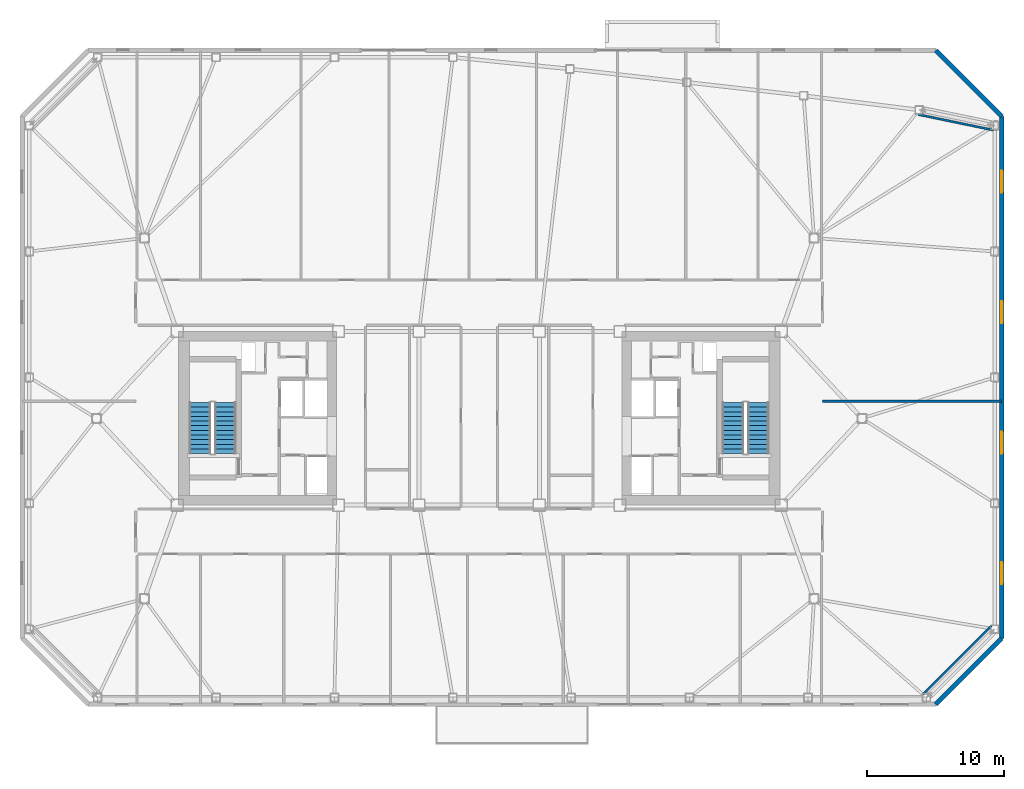
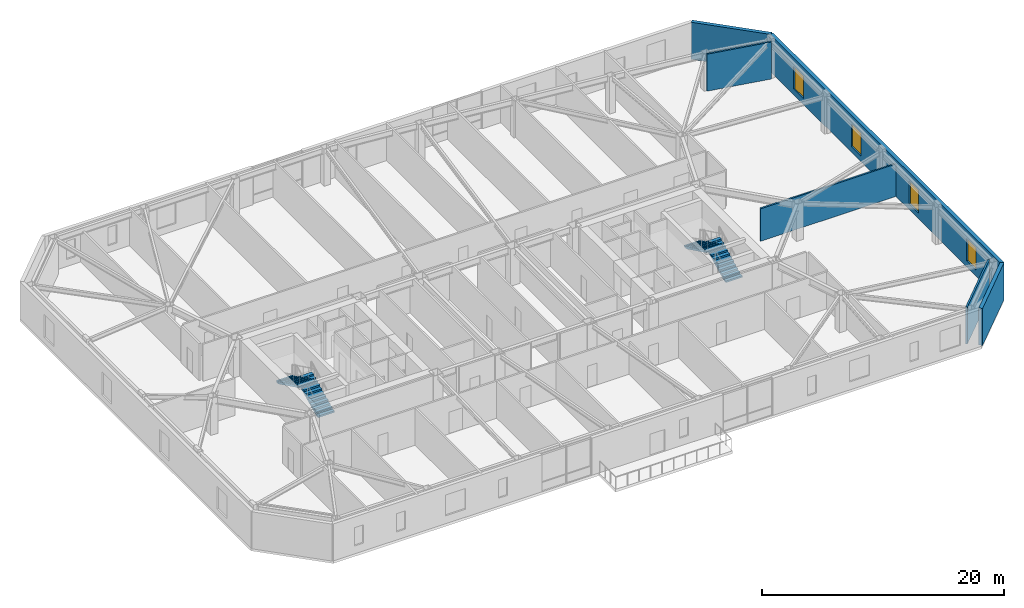
# One storey, part 14 of 19: 6 walls, 4 stair flights, 4 windows, 4 openings, 2 elements without a shape of their own.
"""IFC4 building model written with IfcOpenShell, lengths in metres."""

import ifcopenshell
import ifcopenshell.guid

model = None  # the IFC model being written
_history = None  # IfcOwnerHistory: only IFC2X3 demands one
_inside = {}  # id of a spatial element -> (the spatial element, [elements in it])
_under = {}  # id of a project, library or spatial element -> (it, [spatial elements below it])
_declared = {}  # id of a project -> (the project, [libraries it declares])
_typed = {}  # id of a type object -> (the type object, [elements of that type])
_made_of = {}  # id of a material, layer set ... -> (it, [elements and type objects made of it])


def new_model(schema):
    """Start an empty IFC model of exactly this schema.

    Asked for "IFC4X3", IfcOpenShell would pick the latest addendum, in which some entities
    have other attributes; the version numbers below select the first issue.
    IFC2X3 requires an IfcOwnerHistory on every rooted entity: one is made here for all.
    """
    global model, _history
    if schema == "IFC4X3":
        model = ifcopenshell.file(schema_version=(4, 3, 0, 0))
    else:
        model = ifcopenshell.file(schema=schema)
    _inside.clear()
    _under.clear()
    _declared.clear()
    _typed.clear()
    _made_of.clear()
    _history = None
    if model.schema == "IFC2X3":
        org = make("IfcOrganization", Name="unknown")
        user = make(
            "IfcPersonAndOrganization",
            ThePerson=make("IfcPerson", FamilyName="unknown"),
            TheOrganization=org,
        )
        app = make(
            "IfcApplication",
            ApplicationDeveloper=org,
            Version="unknown",
            ApplicationFullName="unknown",
            ApplicationIdentifier="unknown",
        )
        _history = make(
            "IfcOwnerHistory",
            OwningUser=user,
            OwningApplication=app,
            ChangeAction="ADDED",
            CreationDate=0,
        )
    return model


def make(cls, **values):
    """One entity of the class cls with the attributes given. An attribute that is None is left unset."""
    return model.create_entity(
        cls, **{name: value for name, value in values.items() if value is not None}
    )


def rooted(cls, **values):
    """An entity with a GlobalId (a new one), such as an element, a storey or a relation."""
    return make(cls, GlobalId=ifcopenshell.guid.new(), OwnerHistory=_history, **values)


def si_unit(unit_type, name, prefix=None):
    """IfcSIUnit, for example si_unit("LENGTHUNIT", "METRE", prefix="MILLI")."""
    return make("IfcSIUnit", UnitType=unit_type, Prefix=prefix, Name=name)


def assignment(units):
    """IfcUnitAssignment: the units of a project."""
    return None if units is None else make("IfcUnitAssignment", Units=units)


def point(xyz):
    """IfcCartesianPoint."""
    return None if xyz is None else make("IfcCartesianPoint", Coordinates=xyz)


def direction(xyz):
    """IfcDirection."""
    return None if xyz is None else make("IfcDirection", DirectionRatios=xyz)


def frame(location, z_axis=None, x_axis=None):
    """IfcAxis2Placement3D, a coordinate frame: its origin and axes. An axis left out is left unset."""
    return make(
        "IfcAxis2Placement3D",
        Location=point(location),
        Axis=direction(z_axis),
        RefDirection=direction(x_axis),
    )


def frame_2d(location, x_axis=None):
    """IfcAxis2Placement2D, a coordinate frame in the plane: its origin and x axis."""
    return make(
        "IfcAxis2Placement2D", Location=point(location), RefDirection=direction(x_axis)
    )


def origin():
    """The frame at (0, 0, 0) with its axes left unset."""
    return frame((0.0, 0.0, 0.0))


def place(relative_to, where):
    """IfcLocalPlacement: puts the frame where relative to a parent placement (None: the world)."""
    return make(
        "IfcLocalPlacement", PlacementRelTo=relative_to, RelativePlacement=where
    )


def context(
    kind, dimensions, precision=None, world=None, true_north=None, identifier=None
):
    """IfcGeometricRepresentationContext, for example the 3D "Model" context."""
    return make(
        "IfcGeometricRepresentationContext",
        ContextIdentifier=identifier,
        ContextType=kind,
        CoordinateSpaceDimension=dimensions,
        Precision=precision,
        WorldCoordinateSystem=world,
        TrueNorth=true_north,
    )


def subcontext(parent, identifier, kind, view, scale=None):
    """IfcGeometricRepresentationSubContext, for example "Body" below "Model"."""
    return make(
        "IfcGeometricRepresentationSubContext",
        ContextIdentifier=identifier,
        ContextType=kind,
        ParentContext=parent,
        TargetScale=scale,
        TargetView=view,
    )


def project(units=None, contexts=None):
    """IfcProject with its units and contexts."""
    return rooted(
        "IfcProject",
        Name="project",
        RepresentationContexts=contexts,
        UnitsInContext=assignment(units),
    )


def spatial(cls, under=None, at=None, **own):
    """A site, building, storey or space (cls), placed at a placement, below another one or the project."""
    s = rooted(cls, ObjectPlacement=at, **own)
    if under is not None:
        _under.setdefault(under.id(), (under, []))[1].append(s)
    return s


def polyline(points):
    """IfcPolyline through the points."""
    return make("IfcPolyline", Points=[point(p) for p in points])


def profile(cls, at=None, kind="AREA", **sizes):
    """A parametric profile (cls). Its sizes go by their IFC names, for example OverallWidth=200.0."""
    return make(cls, ProfileType=kind, Position=at, **sizes)


def rectangle(**sizes):
    """IfcRectangleProfileDef."""
    return profile("IfcRectangleProfileDef", **sizes)


def outline(outer, holes=None, kind="AREA"):
    """IfcArbitraryClosedProfileDef: a profile drawn as a closed curve; with holes, ...WithVoids."""
    if holes is None:
        return make("IfcArbitraryClosedProfileDef", ProfileType=kind, OuterCurve=outer)
    return make(
        "IfcArbitraryProfileDefWithVoids",
        ProfileType=kind,
        OuterCurve=outer,
        InnerCurves=holes,
    )


def extrude(swept, where, along, depth):
    """IfcExtrudedAreaSolid: the profile swept, set in the frame where, extruded along a direction by depth."""
    return make(
        "IfcExtrudedAreaSolid",
        SweptArea=swept,
        Position=where,
        ExtrudedDirection=direction(along),
        Depth=depth,
    )


def shape(context_of_items, identifier, shape_type, items):
    """IfcShapeRepresentation: the items that make up one representation, for example the "Body"."""
    return make(
        "IfcShapeRepresentation",
        ContextOfItems=context_of_items,
        RepresentationIdentifier=identifier,
        RepresentationType=shape_type,
        Items=items,
    )


def material(Name=None, Category=None):
    """IfcMaterial."""
    return make("IfcMaterial", Name=Name, Category=Category)


def layer(
    of_material, thickness, ventilated=None, Name=None, Category=None, Priority=None
):
    """IfcMaterialLayer: one layer of a wall or slab, of a material (None: an air gap)."""
    return make(
        "IfcMaterialLayer",
        Material=of_material,
        LayerThickness=thickness,
        IsVentilated=ventilated,
        Name=Name,
        Category=Category,
        Priority=Priority,
    )


def layer_set(layers, Name=None):
    """IfcMaterialLayerSet."""
    return make("IfcMaterialLayerSet", MaterialLayers=layers, LayerSetName=Name)


def made_of(thing, what):
    """Note that an element or type object is made of a material, layer set ...; save() writes the relation."""
    if what is not None:
        _made_of.setdefault(what.id(), (what, []))[1].append(thing)
    return thing


def type_object(cls, material=None, **own):
    """A type object (cls), such as IfcWallType, which elements share."""
    return made_of(rooted(cls, **own), material)


def element(
    cls,
    number,
    at=None,
    inside=None,
    cuts=None,
    type_object=None,
    material=None,
    context=None,
    identifier="Body",
    shape_type=None,
    held_by="IfcProductDefinitionShape",
    body=None,
    shapes=None,
    **own,
):
    """One element of the class cls, such as IfcWall. Its Tag is "e" and its number.

    at: its placement. inside: the storey or other place that contains it. cuts: it is an
    opening in that element (IfcRelVoidsElement). A single representation is given by context,
    identifier, shape_type and body (its items); several are given by shapes. held_by: the class
    of the entity that holds the representations. save() writes the other relations.
    """
    e = rooted(cls, Tag="e%d" % number, ObjectPlacement=at, **own)
    if body is not None:
        shapes = [shape(context, identifier, shape_type, body)]
    if shapes is not None:
        e.Representation = make(held_by, Representations=shapes)
    if inside is not None:
        _inside.setdefault(inside.id(), (inside, []))[1].append(e)
    if cuts is not None:
        rooted(
            "IfcRelVoidsElement", RelatingBuildingElement=cuts, RelatedOpeningElement=e
        )
    if type_object is not None:
        _typed.setdefault(type_object.id(), (type_object, []))[1].append(e)
    return made_of(e, material)


def fill(opening, filler):
    """IfcRelFillsElement: the door or window that sits in an opening."""
    return rooted(
        "IfcRelFillsElement",
        RelatingOpeningElement=opening,
        RelatedBuildingElement=filler,
    )


def aggregate(whole, parts):
    """IfcRelAggregates: a whole, such as a stair, and the parts it consists of."""
    return rooted("IfcRelAggregates", RelatingObject=whole, RelatedObjects=parts)


def save(model, path):
    """Write the relations noted so far, then the file.

    IfcRelAggregates (storeys below a building ...), IfcRelContainedInSpatialStructure (elements
    in a storey), IfcRelDefinesByType, IfcRelAssociatesMaterial and IfcRelDeclares: one each for
    every whole, place, type object, material and project.
    """
    for whole, parts in _under.values():
        aggregate(whole, parts)
    for where, things in _inside.values():
        rooted(
            "IfcRelContainedInSpatialStructure",
            RelatedElements=things,
            RelatingStructure=where,
        )
    for kind, things in _typed.values():
        rooted("IfcRelDefinesByType", RelatedObjects=things, RelatingType=kind)
    for what, things in _made_of.values():
        rooted("IfcRelAssociatesMaterial", RelatedObjects=things, RelatingMaterial=what)
    for by, libraries in _declared.values():
        rooted("IfcRelDeclares", RelatingContext=by, RelatedDefinitions=libraries)
    model.write(path)


model = new_model("IFC4")

# Units and contexts
model_context = context("Model", 3, precision=1e-05, world=origin(), true_north=direction((0.0, 1.0)))
body_context = subcontext(model_context, "Body", "Model", "MODEL_VIEW")
ifc_project = project(units=[si_unit("LENGTHUNIT", "METRE"), si_unit("AREAUNIT", "SQUARE_METRE"), si_unit("VOLUMEUNIT", "CUBIC_METRE"), si_unit("PLANEANGLEUNIT", "RADIAN"), si_unit("MASSUNIT", "GRAM", prefix="KILO")], contexts=[model_context])

# Site, building, storey
site_placement = place(None, origin())
site = spatial("IfcSite", under=ifc_project, at=site_placement, CompositionType="ELEMENT")
building_placement = place(site_placement, origin())
building = spatial("IfcBuilding", under=site, at=building_placement, Name="Tavrogorsk Clinical Tower", CompositionType="ELEMENT")
storey_placement = place(building_placement, frame((0.0, 0.0, 188.199951171875)))
storey = spatial("IfcBuildingStorey", under=building, at=storey_placement, Name="L43", CompositionType="ELEMENT", Elevation=188.199951171875)

# Walls
ifc_material_1 = material(Name="Lightweight concrete blockwork B15", Category="masonry")
ifc_layer_1 = layer(ifc_material_1, 0.159912109375)
ifc_layer_set_1 = layer_set([ifc_layer_1], Name="Lightweight concrete blockwork B15")
wall_type_1 = type_object("IfcWallType", Name="PartitionWall_160", PredefinedType="PARTITIONING", material=ifc_layer_set_1)
wall_1_placement = place(storey_placement, frame((32.4794921875, -20.1796875, 0.0), z_axis=(0.0, 0.0, 1.0), x_axis=(0.707106781187, 0.707106781187, 0.0)))
element("IfcWall", 1, at=wall_1_placement, inside=storey, type_object=wall_type_1, Name="L43 Corner Exoskeleton Brace Furring Wall 1", PredefinedType="PARTITIONING", context=body_context, shape_type="SweptSolid", body=[
    extrude(rectangle(XDim=7.071044921875, YDim=0.159912109375, at=frame_2d((3.53564453125, 0.0))), origin(), (0.0, 0.0, 1.0), 3.739990234375),
])
wall_2_placement = place(storey_placement, frame((37.65087890625, 21.0869140625, 0.0), z_axis=(0.0, 0.0, 1.0), x_axis=(-0.979184618318, 0.202971631636, 0.0)))
element("IfcWall", 2, at=wall_2_placement, inside=storey, type_object=wall_type_1, Name="L43 Corner Exoskeleton Brace Furring Wall 2", PredefinedType="PARTITIONING", context=body_context, shape_type="SweptSolid", body=[
    extrude(rectangle(XDim=5.64599609375, YDim=0.159912109375, at=frame_2d((2.822998046875, 0.0))), origin(), (0.0, 0.0, 1.0), 3.739990234375),
])
wall_3_placement = place(storey_placement, frame((25.1298828125, 1.25, 0.0), z_axis=(0.0, 0.0, 1.0), x_axis=(1.0, 0.0, 0.0)))
element("IfcWall", 3, at=wall_3_placement, inside=storey, type_object=wall_type_1, Name="L43 E Wing Divider 1", PredefinedType="PARTITIONING", context=body_context, shape_type="SweptSolid", body=[
    extrude(rectangle(XDim=13.080078125, YDim=0.159912109375, at=frame_2d((6.5400390625, 0.0))), origin(), (0.0, 0.0, 1.0), 3.28515625),
])

# Wall, openings, windows
ifc_material_2 = material(Name="Precast concrete B45 with limestone cladding", Category="masonry")
ifc_layer_2 = layer(ifc_material_2, 0.340087890625)
ifc_layer_set_2 = layer_set([ifc_layer_2], Name="Precast concrete B45 with limestone cladding")
wall_type_2 = type_object("IfcWallType", Name="PrecastLimestoneWall_340", PredefinedType="STANDARD", material=ifc_layer_set_2)
wall_4_placement = place(storey_placement, frame((38.22998046875, -16.10009765625, 0.0), z_axis=(0.0, 0.0, 1.0), x_axis=(0.0, 1.0, 0.0)))
wall_4 = element("IfcWall", 4, at=wall_4_placement, inside=storey, type_object=wall_type_2, Name="L43 E Pleated Limestone Wing Wall", PredefinedType="STANDARD", context=body_context, shape_type="SweptSolid", body=[
    extrude(rectangle(XDim=38.2001953125, YDim=0.340087890625, at=frame_2d((19.10009765625, 0.0))), origin(), (0.0, 0.0, 1.0), 3.739990234375),
])
opening_1_placement = place(wall_4_placement, frame((3.97509765625, 0.0, 0.580078125)))
opening_1 = element("IfcOpeningElement", 5, at=opening_1_placement, cuts=wall_4, Name="Opening WN-07", PredefinedType="OPENING", context=body_context, shape_type="SweptSolid", body=[
    extrude(rectangle(XDim=1.60009765625, YDim=2.300048828125, at=frame_2d((0.800048828125, 1.14990234375))), frame((0.0, 0.179931640625, 0.0), z_axis=(0.0, -1.0, 0.0), x_axis=(1.0, 0.0, 0.0)), (0.0, 0.0, 1.0), 0.360107421875),
])
opening_2_placement = place(wall_4_placement, frame((13.52490234375, 0.0, 0.580078125)))
opening_2 = element("IfcOpeningElement", 6, at=opening_2_placement, cuts=wall_4, Name="Opening WN-07", PredefinedType="OPENING", context=body_context, shape_type="SweptSolid", body=[
    extrude(rectangle(XDim=1.60009765625, YDim=2.300048828125, at=frame_2d((0.800048828125, 1.14990234375))), frame((0.0, 0.179931640625, 0.0), z_axis=(0.0, -1.0, 0.0), x_axis=(1.0, 0.0, 0.0)), (0.0, 0.0, 1.0), 0.360107421875),
])
opening_3_placement = place(wall_4_placement, frame((23.074951171875, 0.0, 0.580078125)))
opening_3 = element("IfcOpeningElement", 7, at=opening_3_placement, cuts=wall_4, Name="Opening WN-07", PredefinedType="OPENING", context=body_context, shape_type="SweptSolid", body=[
    extrude(rectangle(XDim=1.60009765625, YDim=2.300048828125, at=frame_2d((0.800048828125, 1.14990234375))), frame((0.0, 0.179931640625, 0.0), z_axis=(0.0, -1.0, 0.0), x_axis=(1.0, 0.0, 0.0)), (0.0, 0.0, 1.0), 0.360107421875),
])
opening_4_placement = place(wall_4_placement, frame((32.625, 0.0, 0.580078125)))
opening_4 = element("IfcOpeningElement", 8, at=opening_4_placement, cuts=wall_4, Name="Opening WN-07", PredefinedType="OPENING", context=body_context, shape_type="SweptSolid", body=[
    extrude(rectangle(XDim=1.60009765625, YDim=2.300048828125, at=frame_2d((0.800048828125, 1.14990234375))), frame((0.0, 0.179931640625, 0.0), z_axis=(0.0, -1.0, 0.0), x_axis=(1.0, 0.0, 0.0)), (0.0, 0.0, 1.0), 0.360107421875),
])
ifc_material_3 = material(Name="Thermally broken aluminium frame and triple IGU", Category="aluminium")
window_type = type_object("IfcWindowType", Name="PleatSlotWin_1600x2300", PartitioningType="SINGLE_PANEL", PredefinedType="WINDOW", material=ifc_material_3)
window_1_placement = place(opening_1_placement, origin())
window_1 = element("IfcWindow", 9, at=window_1_placement, inside=storey, type_object=window_type, Name="L43 E Pleat Slot Window 1", OverallHeight=2.300048828125, OverallWidth=1.60009765625, PartitioningType="SINGLE_PANEL", PredefinedType="WINDOW", context=body_context, shape_type="SweptSolid", body=[
    extrude(rectangle(XDim=1.60009765625, YDim=2.300048828125, at=frame_2d((0.800048828125, 1.14990234375))), frame((0.0, 0.030029296875, 0.0), z_axis=(0.0, -1.0, 0.0), x_axis=(1.0, 0.0, 0.0)), (0.0, 0.0, 1.0), 0.06005859375),
])
fill(opening_1, window_1)
window_2_placement = place(opening_2_placement, origin())
window_2 = element("IfcWindow", 10, at=window_2_placement, inside=storey, type_object=window_type, Name="L43 E Pleat Slot Window 2", OverallHeight=2.300048828125, OverallWidth=1.60009765625, PartitioningType="SINGLE_PANEL", PredefinedType="WINDOW", context=body_context, shape_type="SweptSolid", body=[
    extrude(rectangle(XDim=1.60009765625, YDim=2.300048828125, at=frame_2d((0.800048828125, 1.14990234375))), frame((0.0, 0.030029296875, 0.0), z_axis=(0.0, -1.0, 0.0), x_axis=(1.0, 0.0, 0.0)), (0.0, 0.0, 1.0), 0.06005859375),
])
fill(opening_2, window_2)
window_3_placement = place(opening_3_placement, origin())
window_3 = element("IfcWindow", 11, at=window_3_placement, inside=storey, type_object=window_type, Name="L43 E Pleat Slot Window 3", OverallHeight=2.300048828125, OverallWidth=1.60009765625, PartitioningType="SINGLE_PANEL", PredefinedType="WINDOW", context=body_context, shape_type="SweptSolid", body=[
    extrude(rectangle(XDim=1.60009765625, YDim=2.300048828125, at=frame_2d((0.800048828125, 1.14990234375))), frame((0.0, 0.030029296875, 0.0), z_axis=(0.0, -1.0, 0.0), x_axis=(1.0, 0.0, 0.0)), (0.0, 0.0, 1.0), 0.06005859375),
])
fill(opening_3, window_3)
window_4_placement = place(opening_4_placement, origin())
window_4 = element("IfcWindow", 12, at=window_4_placement, inside=storey, type_object=window_type, Name="L43 E Pleat Slot Window 4", OverallHeight=2.300048828125, OverallWidth=1.60009765625, PartitioningType="SINGLE_PANEL", PredefinedType="WINDOW", context=body_context, shape_type="SweptSolid", body=[
    extrude(rectangle(XDim=1.60009765625, YDim=2.300048828125, at=frame_2d((0.800048828125, 1.14990234375))), frame((0.0, 0.030029296875, 0.0), z_axis=(0.0, -1.0, 0.0), x_axis=(1.0, 0.0, 0.0)), (0.0, 0.0, 1.0), 0.06005859375),
])
fill(opening_4, window_4)

# Walls
for number, where, z_axis, x_axis, name in (
    (13, (33.39990234375, -20.929931640625, 0.0), (0.0, 0.0, 1.0), (0.707124652085, 0.707088909836, 0.0), "L43 Chamfered Corner Wall 1"),
    (14, (38.22998046875, 22.10009765625, 0.0), (0.0, 0.0, 1.0), (-0.707124652085, 0.707088909836, 0.0), "L43 Chamfered Corner Wall 2"),
):
    element("IfcWall", number, at=place(storey_placement, frame(where, z_axis=z_axis, x_axis=x_axis)), inside=storey, type_object=wall_type_2, Name=name, PredefinedType="STANDARD", context=body_context, shape_type="SweptSolid", body=[
        extrude(rectangle(XDim=6.83056640625, YDim=0.340087890625, at=frame_2d((3.415283203125, 0.0))), origin(), (0.0, 0.0, 1.0), 3.739990234375),
    ])

# Stair, stair flights
ifc_material_4 = material(Name="Concrete B60", Category="concrete")
stair_type = type_object("IfcStairType", Name="CoreStairAssembly", PredefinedType="HALF_TURN_STAIR", material=ifc_material_4)
stair_1_placement = place(storey_placement, origin())
stair_1 = element("IfcStair", 15, at=stair_1_placement, inside=storey, type_object=stair_type, Name="L43 ST-W", PredefinedType="HALF_TURN_STAIR")
ifc_material_5 = material(Name="Concrete B60", Category="concrete")
stair_flight_type = type_object("IfcStairFlightType", Name="CoreStairFlight", PredefinedType="STRAIGHT", material=ifc_material_5)
stair_flight_1_placement = place(storey_placement, frame((-18.574951171875, -2.574951171875, 0.0), z_axis=(0.0, 0.0, 1.0), x_axis=(0.0, 1.0, 0.0)))
stair_flight_1 = element("IfcStairFlight", 16, at=stair_flight_1_placement, type_object=stair_flight_type, Name="ST-W flight 1", NumberOfRisers=12, NumberOfTreads=11, PredefinedType="STRAIGHT", RiserHeight=0.166666667, TreadLength=0.34, context=body_context, shape_type="SweptSolid", body=[
    extrude(outline(polyline([(0.0, 0.0), (0.0, 0.166748046875), (0.340087890625, 0.166748046875), (0.340087890625, 0.333251953125), (0.679931640625, 0.333251953125), (0.679931640625, 0.5), (1.02001953125, 0.5), (1.02001953125, 0.666748046875), (1.360107421875, 0.666748046875), (1.360107421875, 0.833251953125), (1.699951171875, 0.833251953125), (1.699951171875, 1.0), (2.0400390625, 1.0), (2.0400390625, 1.166748046875), (2.3798828125, 1.166748046875), (2.3798828125, 1.333251953125), (2.719970703125, 1.333251953125), (2.719970703125, 1.5), (3.06005859375, 1.5), (3.06005859375, 1.666748046875), (3.39990234375, 1.666748046875), (3.39990234375, 1.833251953125), (3.739990234375, 1.833251953125), (3.739990234375, 2.0), (3.739990234375, 1.66650390625), (0.340576171875, 0.0), (0.0, 0.0)])), frame((0.0, 0.77490234375, 0.0), z_axis=(0.0, -1.0, 0.0), x_axis=(1.0, 0.0, 0.0)), (0.0, 0.0, 1.0), 1.550048828125),
])
stair_flight_2_placement = place(storey_placement, frame((-20.425048828125, 1.1650390625, 2.0), z_axis=(0.0, 0.0, 1.0), x_axis=(0.0, -1.0, 0.0)))
stair_flight_2 = element("IfcStairFlight", 17, at=stair_flight_2_placement, type_object=stair_flight_type, Name="ST-W flight 2", NumberOfRisers=12, NumberOfTreads=11, PredefinedType="STRAIGHT", RiserHeight=0.166666667, TreadLength=0.34, context=body_context, shape_type="SweptSolid", body=[
    extrude(outline(polyline([(0.0, 0.0), (0.0, 0.166748046875), (0.340087890625, 0.166748046875), (0.340087890625, 0.333251953125), (0.679931640625, 0.333251953125), (0.679931640625, 0.5), (1.02001953125, 0.5), (1.02001953125, 0.666748046875), (1.360107421875, 0.666748046875), (1.360107421875, 0.833251953125), (1.699951171875, 0.833251953125), (1.699951171875, 1.0), (2.0400390625, 1.0), (2.0400390625, 1.166748046875), (2.3798828125, 1.166748046875), (2.3798828125, 1.333251953125), (2.719970703125, 1.333251953125), (2.719970703125, 1.5), (3.06005859375, 1.5), (3.06005859375, 1.666748046875), (3.39990234375, 1.666748046875), (3.39990234375, 1.833251953125), (3.739990234375, 1.833251953125), (3.739990234375, 2.0), (3.739990234375, 1.66650390625), (0.340576171875, 0.0), (0.0, 0.0)])), frame((0.0, 0.77490234375, 0.0), z_axis=(0.0, -1.0, 0.0), x_axis=(1.0, 0.0, 0.0)), (0.0, 0.0, 1.0), 1.550048828125),
])
aggregate(stair_1, [stair_flight_1, stair_flight_2])

stair_2_placement = place(storey_placement, origin())
stair_2 = element("IfcStair", 18, at=stair_2_placement, inside=storey, type_object=stair_type, Name="L43 ST-E", PredefinedType="HALF_TURN_STAIR")
stair_flight_3_placement = place(storey_placement, frame((20.425048828125, -2.574951171875, 0.0), z_axis=(0.0, 0.0, 1.0), x_axis=(0.0, 1.0, 0.0)))
stair_flight_3 = element("IfcStairFlight", 19, at=stair_flight_3_placement, type_object=stair_flight_type, Name="ST-E flight 1", NumberOfRisers=12, NumberOfTreads=11, PredefinedType="STRAIGHT", RiserHeight=0.166666667, TreadLength=0.34, context=body_context, shape_type="SweptSolid", body=[
    extrude(outline(polyline([(0.0, 0.0), (0.0, 0.166748046875), (0.340087890625, 0.166748046875), (0.340087890625, 0.333251953125), (0.679931640625, 0.333251953125), (0.679931640625, 0.5), (1.02001953125, 0.5), (1.02001953125, 0.666748046875), (1.360107421875, 0.666748046875), (1.360107421875, 0.833251953125), (1.699951171875, 0.833251953125), (1.699951171875, 1.0), (2.0400390625, 1.0), (2.0400390625, 1.166748046875), (2.3798828125, 1.166748046875), (2.3798828125, 1.333251953125), (2.719970703125, 1.333251953125), (2.719970703125, 1.5), (3.06005859375, 1.5), (3.06005859375, 1.666748046875), (3.39990234375, 1.666748046875), (3.39990234375, 1.833251953125), (3.739990234375, 1.833251953125), (3.739990234375, 2.0), (3.739990234375, 1.66650390625), (0.340576171875, 0.0), (0.0, 0.0)])), frame((0.0, 0.77490234375, 0.0), z_axis=(0.0, -1.0, 0.0), x_axis=(1.0, 0.0, 0.0)), (0.0, 0.0, 1.0), 1.550048828125),
])
stair_flight_4_placement = place(storey_placement, frame((18.574951171875, 1.1650390625, 2.0), z_axis=(0.0, 0.0, 1.0), x_axis=(0.0, -1.0, 0.0)))
stair_flight_4 = element("IfcStairFlight", 20, at=stair_flight_4_placement, type_object=stair_flight_type, Name="ST-E flight 2", NumberOfRisers=12, NumberOfTreads=11, PredefinedType="STRAIGHT", RiserHeight=0.166666667, TreadLength=0.34, context=body_context, shape_type="SweptSolid", body=[
    extrude(outline(polyline([(0.0, 0.0), (0.0, 0.166748046875), (0.340087890625, 0.166748046875), (0.340087890625, 0.333251953125), (0.679931640625, 0.333251953125), (0.679931640625, 0.5), (1.02001953125, 0.5), (1.02001953125, 0.666748046875), (1.360107421875, 0.666748046875), (1.360107421875, 0.833251953125), (1.699951171875, 0.833251953125), (1.699951171875, 1.0), (2.0400390625, 1.0), (2.0400390625, 1.166748046875), (2.3798828125, 1.166748046875), (2.3798828125, 1.333251953125), (2.719970703125, 1.333251953125), (2.719970703125, 1.5), (3.06005859375, 1.5), (3.06005859375, 1.666748046875), (3.39990234375, 1.666748046875), (3.39990234375, 1.833251953125), (3.739990234375, 1.833251953125), (3.739990234375, 2.0), (3.739990234375, 1.66650390625), (0.340576171875, 0.0), (0.0, 0.0)])), frame((0.0, 0.77490234375, 0.0), z_axis=(0.0, -1.0, 0.0), x_axis=(1.0, 0.0, 0.0)), (0.0, 0.0, 1.0), 1.550048828125),
])
aggregate(stair_2, [stair_flight_3, stair_flight_4])

save(model, "model.ifc")
